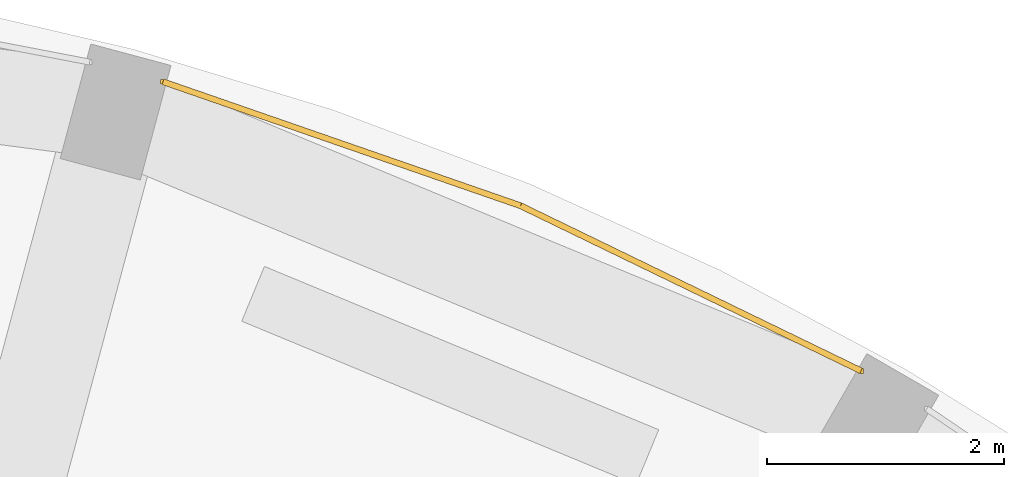
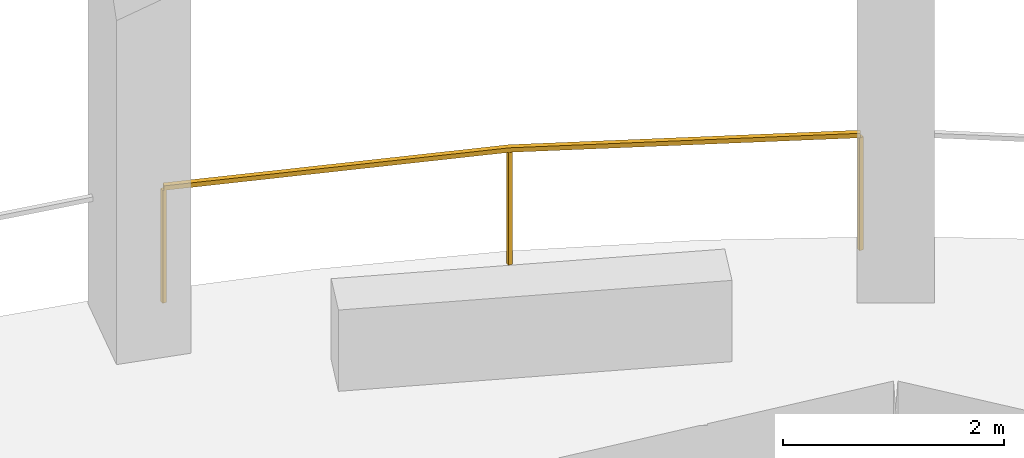
# One storey, part 9 of 9: 1 railing.
"""IFC4 building model written with IfcOpenShell, lengths in metres."""

from ifc_helpers import new_model, si_unit, direction, frame, origin, origin_2d, place, context, subcontext, project, spatial, rectangle, extrude, material, type_object, element, save


model = new_model("IFC4")

# Units and contexts
model_context = context("Model", 3, precision=1e-05, world=origin(), true_north=direction((0.0, 1.0)))
body_context = subcontext(model_context, "Body", "Model", "MODEL_VIEW")
ifc_project = project(units=[si_unit("LENGTHUNIT", "METRE"), si_unit("AREAUNIT", "SQUARE_METRE"), si_unit("VOLUMEUNIT", "CUBIC_METRE"), si_unit("PLANEANGLEUNIT", "RADIAN"), si_unit("MASSUNIT", "GRAM", prefix="KILO")], contexts=[model_context])

# Site, building, storey
site_placement = place(None, origin())
site = spatial("IfcSite", under=ifc_project, at=site_placement, CompositionType="ELEMENT")
building_placement = place(site_placement, origin())
building = spatial("IfcBuilding", under=site, at=building_placement, Name="Torre Triforio", CompositionType="ELEMENT")
storey_placement = place(building_placement, frame((0.0, 0.0, 35.0)))
storey = spatial("IfcBuildingStorey", under=building, at=storey_placement, Name="L06", CompositionType="ELEMENT", Elevation=35.0)

# Railing
ifc_material = material(Name="Stainless steel AISI 316", Category="steel")
railing_type = type_object("IfcRailingType", Name="Loggia guard 1300", PredefinedType="GUARDRAIL", material=ifc_material)
railing_placement = place(storey_placement, frame((13.14794921875, 23.412841796875, 0.0)))
element("IfcRailing", 1, at=railing_placement, inside=storey, type_object=railing_type, Name="Loggia guard L06 bay 05", PredefinedType="GUARDRAIL", context=body_context, shape_type="SweptSolid", body=[
    extrude(rectangle(XDim=0.050048828125, YDim=0.050048828125, at=origin_2d()), frame((0.0, 0.0, 1.27490234375), z_axis=(-0.899760432952, 0.436384192305, 0.0), x_axis=(-0.436384192305, -0.899760432952, 0.0)), (0.0, 0.0, 1.0), 3.19287109375),
    extrude(rectangle(XDim=0.050048828125, YDim=0.050048828125, at=origin_2d()), frame((-2.872802734375, 1.393310546875, 1.27490234375), z_axis=(-0.94480685358, 0.327627852034, 0.0), x_axis=(-0.327627852034, -0.94480685358, 0.0)), (0.0, 0.0, 1.0), 3.193115234375),
    extrude(rectangle(XDim=0.0400390625, YDim=0.0400390625, at=origin_2d()), origin(), (0.0, 0.0, 1.0), 1.25),
    extrude(rectangle(XDim=0.0400390625, YDim=0.0400390625, at=origin_2d()), frame((-2.872802734375, 1.393310546875, 0.0)), (0.0, 0.0, 1.0), 1.25),
    extrude(rectangle(XDim=0.0400390625, YDim=0.0400390625, at=origin_2d()), frame((-5.8896484375, 2.439453125, 0.0)), (0.0, 0.0, 1.0), 1.25),
])

save(model, "model.ifc")
